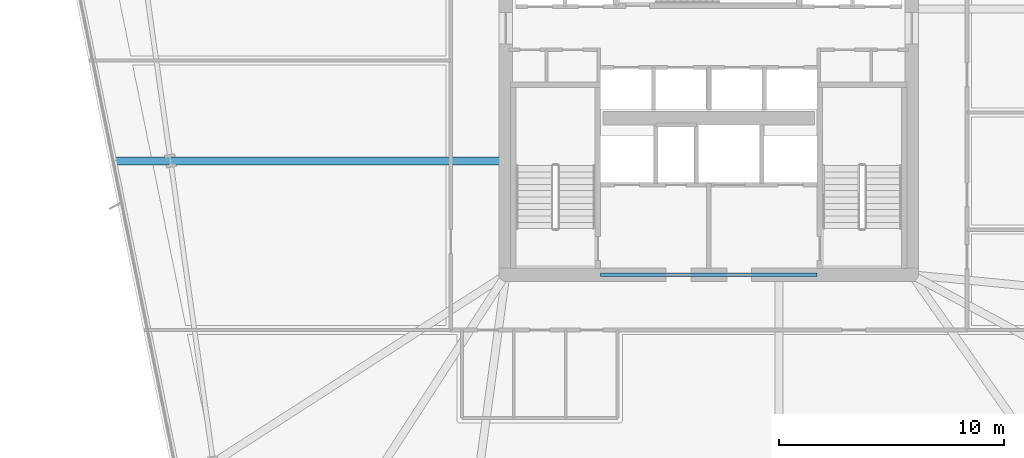
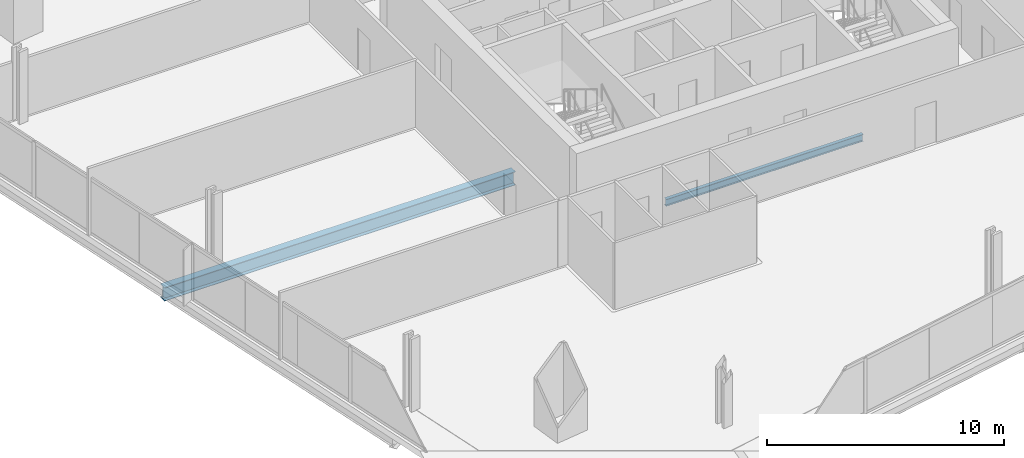
# One storey, part 7 of 33: 2 beams.
"""IFC4 building model written with IfcOpenShell, lengths in metres."""

from ifc_helpers import new_model, si_unit, direction, frame, origin, origin_2d, place, context, subcontext, project, spatial, i_section, extrude, material, material_profile, profile_set, type_object, element, save


model = new_model("IFC4")

# Units and contexts
model_context = context("Model", 3, precision=1e-05, world=origin(), true_north=direction((0.0, 1.0)))
body_context = subcontext(model_context, "Body", "Model", "MODEL_VIEW")
ifc_project = project(units=[si_unit("LENGTHUNIT", "METRE"), si_unit("AREAUNIT", "SQUARE_METRE"), si_unit("VOLUMEUNIT", "CUBIC_METRE"), si_unit("PLANEANGLEUNIT", "RADIAN"), si_unit("MASSUNIT", "GRAM", prefix="KILO")], contexts=[model_context])

# Site, building, storey
site_placement = place(None, origin())
site = spatial("IfcSite", under=ifc_project, at=site_placement, CompositionType="ELEMENT")
building_placement = place(site_placement, origin())
building = spatial("IfcBuilding", under=site, at=building_placement, Name="Haldenkirk Collegiate Tower", CompositionType="ELEMENT")
storey_placement = place(building_placement, frame((0.0, 0.0, 66.449951171875)))
storey = spatial("IfcBuildingStorey", under=building, at=storey_placement, Name="L15", CompositionType="ELEMENT", Elevation=66.449951171875)

# Beams
ifc_material = material(Name="Steel ASTM A992 Grade 50", Category="steel")
ifc_material_profile_1 = material_profile(ifc_material, i_section(OverallWidth=0.35498046875, OverallDepth=0.696044921875, WebThickness=0.015380859375, FlangeThickness=0.02490234375, at=origin_2d()), Name="W27X146")
ifc_profile_set_1 = profile_set([ifc_material_profile_1], Name="Steel ASTM A992 Grade 50")
beam_type_1 = type_object("IfcBeamType", Name="BM-GIRDER-W27X146", PredefinedType="BEAM", material=ifc_profile_set_1)
beam_1_placement = place(storey_placement, frame((9.628173828125, 23.052978515625, -0.657958984375), z_axis=(1.0, 0.0, 0.0), x_axis=(0.0, 1.0, 0.0)))
element("IfcBeam", 1, at=beam_1_placement, inside=storey, type_object=beam_type_1, Name="L15 primary floor girder 15", PredefinedType="BEAM", context=body_context, shape_type="SweptSolid", body=[
    extrude(i_section(OverallWidth=0.35498046875, OverallDepth=0.696044921875, WebThickness=0.015380859375, FlangeThickness=0.02490234375, at=origin_2d()), origin(), (0.0, 0.0, 1.0), 17.091796875),
])
ifc_material_profile_2 = material_profile(ifc_material, i_section(OverallWidth=0.1708984375, OverallDepth=0.35595703125, WebThickness=0.007080078125, FlangeThickness=0.01171875, at=origin_2d()), Name="W14X34")
ifc_profile_set_2 = profile_set([ifc_material_profile_2], Name="Steel ASTM A992 Grade 50")
beam_type_2 = type_object("IfcBeamType", Name="BM-LINTEL-W14X34", PredefinedType="LINTEL", material=ifc_profile_set_2)
beam_2_placement = place(storey_placement, frame((31.199951171875, 18.0, -0.488037109375), z_axis=(1.0, 0.0, 0.0), x_axis=(0.0, 1.0, 0.0)))
element("IfcBeam", 2, at=beam_2_placement, inside=storey, type_object=beam_type_2, Name="L15 south core coupling lintel", PredefinedType="LINTEL", context=body_context, shape_type="SweptSolid", body=[
    extrude(i_section(OverallWidth=0.1708984375, OverallDepth=0.35595703125, WebThickness=0.007080078125, FlangeThickness=0.01171875, at=origin_2d()), origin(), (0.0, 0.0, 1.0), 9.60009765625),
])

save(model, "model.ifc")
